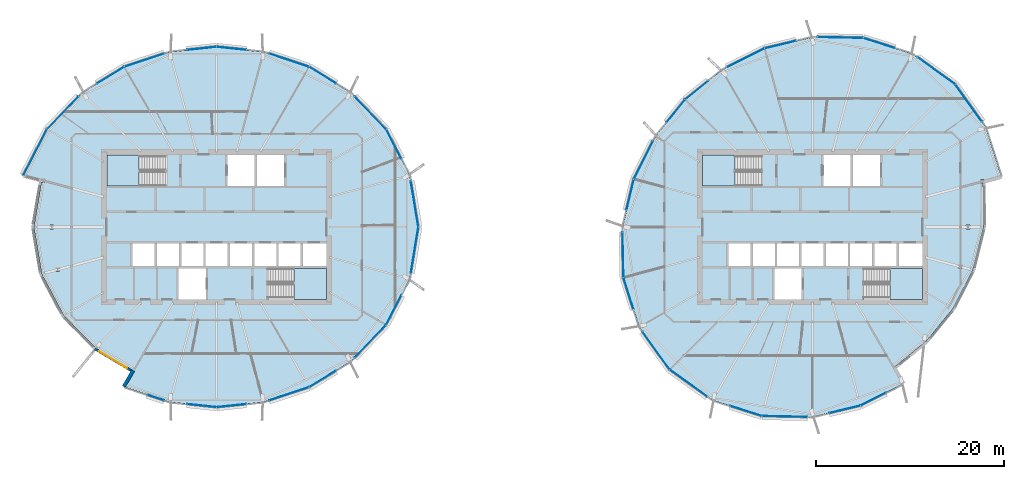
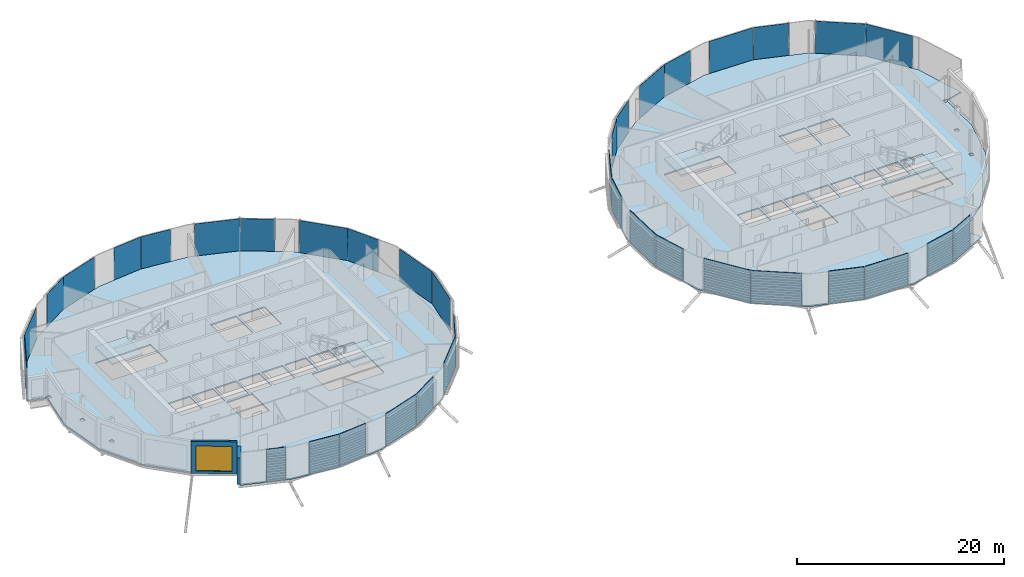
# One storey, part 17 of 35: 37 plates, 6 slabs, 2 walls, 1 window, 1 opening, 6 elements without a shape of their own.
"""IFC4 building model written with IfcOpenShell, lengths in metres."""

from ifc_helpers import new_model, si_unit, direction, frame, frame_2d, origin, origin_2d, place, context, subcontext, project, spatial, polyline, rectangle, outline, extrude, material, layer, layer_set, type_object, element, fill, aggregate, save


model = new_model("IFC4")

# Units and contexts
model_context = context("Model", 3, precision=1e-05, world=origin(), true_north=direction((0.0, 1.0)))
body_context = subcontext(model_context, "Body", "Model", "MODEL_VIEW")
ifc_project = project(units=[si_unit("LENGTHUNIT", "METRE"), si_unit("AREAUNIT", "SQUARE_METRE"), si_unit("VOLUMEUNIT", "CUBIC_METRE"), si_unit("PLANEANGLEUNIT", "RADIAN"), si_unit("MASSUNIT", "GRAM", prefix="KILO")], contexts=[model_context])

# Site, building, storey
site_placement = place(None, origin())
site = spatial("IfcSite", under=ifc_project, at=site_placement, CompositionType="ELEMENT")
building_placement = place(site_placement, origin())
building = spatial("IfcBuilding", under=site, at=building_placement, Name="Rimbun Link Towers", CompositionType="ELEMENT")
storey_placement = place(building_placement, frame((0.0, 0.0, 196.89990234375)))
storey = spatial("IfcBuildingStorey", under=building, at=storey_placement, Name="L48", CompositionType="ELEMENT", Elevation=196.89990234375)

# Slabs
ifc_material_1 = material(Name="Concrete C35/45", Category="concrete")
ifc_layer_1 = layer(ifc_material_1, 0.14990234375)
ifc_layer_set_1 = layer_set([ifc_layer_1], Name="COMPOSITE FLOOR 150")
slab_type_1 = type_object("IfcSlabType", Name="COMPOSITE FLOOR 150", PredefinedType="FLOOR", material=ifc_layer_set_1)
slab_1_placement = place(storey_placement, frame((0.0, 0.0, -0.14990234375)))
element("IfcSlab", 1, at=slab_1_placement, inside=storey, type_object=slab_type_1, Name="Floor slab T1 L48", PredefinedType="FLOOR", context=body_context, shape_type="SweptSolid", body=[
    extrude(outline(polyline([(-52.326904296875, 5.513671875), (-49.790283203125, 10.41552734375), (-46.058349609375, 14.308349609375), (-41.593505859375, 17.0498046875), (-36.748779296875, 18.6552734375), (-31.75, 19.181640625), (-26.751220703125, 18.6552734375), (-21.906494140625, 17.0498046875), (-17.441650390625, 14.308349609375), (-13.709716796875, 10.41552734375), (-11.173095703125, 5.513671875), (-10.2666015625, 0.0), (-11.173095703125, -5.513671875), (-13.709716796875, -10.41552734375), (-17.441650390625, -14.308349609375), (-21.906494140625, -17.0498046875), (-26.751220703125, -18.6552734375), (-31.75, -19.181640625), (-36.748779296875, -18.6552734375), (-41.593505859375, -17.0498046875), (-40.593505859375, -15.317626953125), (-44.64404296875, -12.89404296875), (-48.058349609375, -9.41552734375), (-50.39501953125, -4.995849609375), (-51.2333984375, 0.0), (-50.41455078125, 4.87890625), (-50.41455078125, 4.7509765625), (-50.015625, 4.7509765625), (-50.015625, 5.14453125), (-50.41455078125, 5.14453125), (-50.41455078125, 5.001220703125), (-52.326904296875, 5.513671875)]), holes=[polyline([(-32.89990234375, -7.699951171875), (-32.89990234375, -4.39990234375), (-35.800048828125, -4.39990234375), (-35.800048828125, -7.699951171875), (-32.89990234375, -7.699951171875)]), polyline([(-48.47119140625, -4.730712890625), (-48.47119140625, -4.337158203125), (-48.8701171875, -4.337158203125), (-48.8701171875, -4.730712890625), (-48.47119140625, -4.730712890625)]), polyline([(-38.361083984375, -4.14990234375), (-38.361083984375, -1.75), (-40.70556640625, -1.75), (-40.70556640625, -4.14990234375), (-38.361083984375, -4.14990234375)]), polyline([(-35.7666015625, -4.14990234375), (-35.7666015625, -1.75), (-38.111083984375, -1.75), (-38.111083984375, -4.14990234375), (-35.7666015625, -4.14990234375)]), polyline([(-33.172119140625, -4.14990234375), (-33.172119140625, -1.75), (-35.5166015625, -1.75), (-35.5166015625, -4.14990234375), (-33.172119140625, -4.14990234375)]), polyline([(-49.122802734375, -0.19677734375), (-49.122802734375, 0.19677734375), (-49.521728515625, 0.19677734375), (-49.521728515625, -0.19677734375), (-49.122802734375, -0.19677734375)]), polyline([(-37.260009765625, 4.39990234375), (-37.260009765625, 7.699951171875), (-43.449951171875, 7.699951171875), (-43.449951171875, 4.39990234375), (-37.260009765625, 4.39990234375)]), polyline([(-20.050048828125, -7.699951171875), (-20.050048828125, -4.39990234375), (-26.239990234375, -4.39990234375), (-26.239990234375, -7.699951171875), (-20.050048828125, -7.699951171875)]), polyline([(-30.577880859375, -4.14990234375), (-30.577880859375, -1.75), (-32.922119140625, -1.75), (-32.922119140625, -4.14990234375), (-30.577880859375, -4.14990234375)]), polyline([(-27.9833984375, -4.14990234375), (-27.9833984375, -1.75), (-30.327880859375, -1.75), (-30.327880859375, -4.14990234375), (-27.9833984375, -4.14990234375)]), polyline([(-25.388916015625, -4.14990234375), (-25.388916015625, -1.75), (-27.7333984375, -1.75), (-27.7333984375, -4.14990234375), (-25.388916015625, -4.14990234375)]), polyline([(-22.79443359375, -4.14990234375), (-22.79443359375, -1.75), (-25.138916015625, -1.75), (-25.138916015625, -4.14990234375), (-22.79443359375, -4.14990234375)]), polyline([(-20.050048828125, -4.14990234375), (-20.050048828125, -1.75), (-22.54443359375, -1.75), (-22.54443359375, -4.14990234375), (-20.050048828125, -4.14990234375)]), polyline([(-27.699951171875, 4.39990234375), (-27.699951171875, 7.699951171875), (-30.60009765625, 7.699951171875), (-30.60009765625, 4.39990234375), (-27.699951171875, 4.39990234375)]), polyline([(-24.550048828125, 4.39990234375), (-24.550048828125, 7.699951171875), (-27.449951171875, 7.699951171875), (-27.449951171875, 4.39990234375), (-24.550048828125, 4.39990234375)])]), origin(), (0.0, 0.0, 1.0), 0.14990234375),
])
slab_2_placement = place(storey_placement, frame((0.0, 0.0, -0.14990234375)))
element("IfcSlab", 2, at=slab_2_placement, inside=storey, type_object=slab_type_1, Name="Floor slab T2 L48", PredefinedType="FLOOR", context=body_context, shape_type="SweptSolid", body=[
    extrude(outline(polyline([(49.985107421875, 0.0), (48.834716796875, -4.577880859375), (46.743896484375, -8.65673828125), (43.8994140625, -12.1494140625), (40.40673828125, -14.993896484375), (41.40673828125, -16.725830078125), (36.845458984375, -19.016357421875), (31.75, -20.235107421875), (26.3583984375, -20.12158203125), (21.0986328125, -18.44873046875), (16.558837890625, -15.191162109375), (13.30126953125, -10.6513671875), (11.62841796875, -5.3916015625), (11.514892578125, 0.0), (12.733642578125, 5.095458984375), (15.024169921875, 9.65673828125), (18.1865234375, 13.5634765625), (22.09326171875, 16.725830078125), (26.654541015625, 19.016357421875), (31.75, 20.235107421875), (37.1416015625, 20.12158203125), (42.4013671875, 18.44873046875), (46.941162109375, 15.191162109375), (50.19873046875, 10.6513671875), (51.87158203125, 5.3916015625), (50.05078125, 4.90380859375), (50.05078125, 5.047119140625), (49.651611328125, 5.047119140625), (49.651611328125, 4.6533203125), (49.941650390625, 4.6533203125), (49.985107421875, 0.0)]), holes=[polyline([(30.60009765625, -7.699951171875), (30.60009765625, -4.39990234375), (27.699951171875, -4.39990234375), (27.699951171875, -7.699951171875), (30.60009765625, -7.699951171875)]), polyline([(25.138916015625, -4.14990234375), (25.138916015625, -1.75), (22.79443359375, -1.75), (22.79443359375, -4.14990234375), (25.138916015625, -4.14990234375)]), polyline([(27.7333984375, -4.14990234375), (27.7333984375, -1.75), (25.388916015625, -1.75), (25.388916015625, -4.14990234375), (27.7333984375, -4.14990234375)]), polyline([(30.327880859375, -4.14990234375), (30.327880859375, -1.75), (27.9833984375, -1.75), (27.9833984375, -4.14990234375), (30.327880859375, -4.14990234375)]), polyline([(32.922119140625, -4.14990234375), (32.922119140625, -1.75), (30.577880859375, -1.75), (30.577880859375, -4.14990234375), (32.922119140625, -4.14990234375)]), polyline([(35.5166015625, -4.14990234375), (35.5166015625, -1.75), (33.172119140625, -1.75), (33.172119140625, -4.14990234375), (35.5166015625, -4.14990234375)]), polyline([(26.239990234375, 4.39990234375), (26.239990234375, 7.699951171875), (20.050048828125, 7.699951171875), (20.050048828125, 4.39990234375), (26.239990234375, 4.39990234375)]), polyline([(35.800048828125, 4.39990234375), (35.800048828125, 7.699951171875), (32.89990234375, 7.699951171875), (32.89990234375, 4.39990234375), (35.800048828125, 4.39990234375)]), polyline([(43.449951171875, -7.699951171875), (43.449951171875, -4.39990234375), (37.260009765625, -4.39990234375), (37.260009765625, -7.699951171875), (43.449951171875, -7.699951171875)]), polyline([(47.692138671875, -4.4150390625), (47.692138671875, -4.021484375), (47.293212890625, -4.021484375), (47.293212890625, -4.4150390625), (47.692138671875, -4.4150390625)]), polyline([(38.111083984375, -4.14990234375), (38.111083984375, -1.75), (35.7666015625, -1.75), (35.7666015625, -4.14990234375), (38.111083984375, -4.14990234375)]), polyline([(40.70556640625, -4.14990234375), (40.70556640625, -1.75), (38.361083984375, -1.75), (38.361083984375, -4.14990234375), (40.70556640625, -4.14990234375)]), polyline([(43.449951171875, -4.14990234375), (43.449951171875, -1.75), (40.95556640625, -1.75), (40.95556640625, -4.14990234375), (43.449951171875, -4.14990234375)]), polyline([(48.51904296875, -0.19677734375), (48.51904296875, 0.19677734375), (48.1201171875, 0.19677734375), (48.1201171875, -0.19677734375), (48.51904296875, -0.19677734375)]), polyline([(38.949951171875, 4.39990234375), (38.949951171875, 7.699951171875), (36.050048828125, 7.699951171875), (36.050048828125, 4.39990234375), (38.949951171875, 4.39990234375)])]), origin(), (0.0, 0.0, 1.0), 0.14990234375),
])

# Curtain wall, plates
ifc_material_2 = material(Name="Aluminium 6063-T6 and low-iron glass", Category="aluminium")
curtain_wall_type = type_object("IfcCurtainWallType", Name="CW1-Z3 unitised vision wall (zone 3)", PredefinedType="NOTDEFINED", material=ifc_material_2)
curtain_wall_1_placement = place(storey_placement, origin())
curtain_wall_1 = element("IfcCurtainWall", 3, at=curtain_wall_1_placement, inside=storey, type_object=curtain_wall_type, Name="CW1 L48 T1", PredefinedType="NOTDEFINED")
ifc_material_3 = material(Name="Low-iron glass, laminated low-e unit", Category="glass")
ifc_layer_2 = layer(ifc_material_3, 0.028076171875)
ifc_layer_set_2 = layer_set([ifc_layer_2], Name="CW1 panel Low-iron glass 28")
plate_type = type_object("IfcPlateType", Name="CW1 panel Low-iron glass 28", PredefinedType="CURTAIN_PANEL", material=ifc_layer_set_2)
plate_1_placement = place(storey_placement, frame((-10.6572265625, 2.463134765625, 0.0), z_axis=(0.0, 0.0, 1.0), x_axis=(0.162251000037, -0.986749518868, 0.0)))
plate_1 = element("IfcPlate", 4, at=plate_1_placement, type_object=plate_type, Name="CW1 panel", PredefinedType="CURTAIN_PANEL", context=body_context, shape_type="SweptSolid", body=[
    extrude(rectangle(XDim=4.94775390625, YDim=0.028076171875, at=origin_2d()), origin(), (0.0, 0.0, 1.0), 3.800048828125),
])
plate_2_placement = place(storey_placement, frame((-12.876953125, 8.8369140625, 0.0), z_axis=(0.0, 0.0, 1.0), x_axis=(0.459563387219, -0.888144973035, 0.0)))
plate_2 = element("IfcPlate", 5, at=plate_2_placement, type_object=plate_type, Name="CW1 panel", PredefinedType="CURTAIN_PANEL", context=body_context, shape_type="SweptSolid", body=[
    extrude(rectangle(XDim=3.529296875, YDim=0.028076171875, at=origin_2d()), origin(), (0.0, 0.0, 1.0), 3.800048828125),
])
plate_3_placement = place(storey_placement, frame((-15.375244140625, 12.173095703125, 0.0), z_axis=(0.0, 0.0, 1.0), x_axis=(0.692040676143, -0.721858505917, 0.0)))
plate_3 = element("IfcPlate", 6, at=plate_3_placement, type_object=plate_type, Name="CW1 panel", PredefinedType="CURTAIN_PANEL", context=body_context, shape_type="SweptSolid", body=[
    extrude(rectangle(XDim=4.802734375, YDim=0.028076171875, at=origin_2d()), origin(), (0.0, 0.0, 1.0), 3.800048828125),
])
plate_4_placement = place(storey_placement, frame((-20.454833984375, 16.175048828125, 0.0), z_axis=(0.0, 0.0, 1.0), x_axis=(0.852191980023, -0.523229231966, 0.0)))
plate_4 = element("IfcPlate", 7, at=plate_4_placement, type_object=plate_type, Name="CW1 panel", PredefinedType="CURTAIN_PANEL", context=body_context, shape_type="SweptSolid", body=[
    extrude(rectangle(XDim=3.34912109375, YDim=0.028076171875, at=origin_2d()), origin(), (0.0, 0.0, 1.0), 3.800048828125),
])
plate_5_placement = place(storey_placement, frame((-24.039794921875, 17.771484375, 0.0), z_axis=(0.0, 0.0, 1.0), x_axis=(0.949238257149, -0.314557993327, 0.0)))
plate_5 = element("IfcPlate", 8, at=plate_5_placement, type_object=plate_type, Name="CW1 panel", PredefinedType="CURTAIN_PANEL", context=body_context, shape_type="SweptSolid", body=[
    extrude(rectangle(XDim=4.4638671875, YDim=0.028076171875, at=origin_2d()), origin(), (0.0, 0.0, 1.0), 3.800048828125),
])
plate_6_placement = place(storey_placement, frame((-30.169189453125, 19.029296875, 0.0), z_axis=(0.0, 0.0, 1.0), x_axis=(0.994498801029, -0.104747958219, 0.0)))
plate_6 = element("IfcPlate", 9, at=plate_6_placement, type_object=plate_type, Name="CW1 panel", PredefinedType="CURTAIN_PANEL", context=body_context, shape_type="SweptSolid", body=[
    extrude(rectangle(XDim=3.13623046875, YDim=0.028076171875, at=origin_2d()), origin(), (0.0, 0.0, 1.0), 3.800048828125),
])
plate_7_placement = place(storey_placement, frame((-33.330810546875, 19.029296875, 0.0), z_axis=(0.0, 0.0, 1.0), x_axis=(0.994498801029, 0.104747958219, 0.0)))
plate_7 = element("IfcPlate", 10, at=plate_7_placement, type_object=plate_type, Name="CW1 panel", PredefinedType="CURTAIN_PANEL", context=body_context, shape_type="SweptSolid", body=[
    extrude(rectangle(XDim=3.13623046875, YDim=0.028076171875, at=origin_2d()), origin(), (0.0, 0.0, 1.0), 3.800048828125),
])
plate_8_placement = place(storey_placement, frame((-39.460205078125, 17.771484375, 0.0), z_axis=(0.0, 0.0, 1.0), x_axis=(0.949238257149, 0.314557993327, 0.0)))
plate_8 = element("IfcPlate", 11, at=plate_8_placement, type_object=plate_type, Name="CW1 panel", PredefinedType="CURTAIN_PANEL", context=body_context, shape_type="SweptSolid", body=[
    extrude(rectangle(XDim=4.4638671875, YDim=0.028076171875, at=origin_2d()), origin(), (0.0, 0.0, 1.0), 3.800048828125),
])
plate_9_placement = place(storey_placement, frame((-43.045166015625, 16.175048828125, 0.0), z_axis=(0.0, 0.0, 1.0), x_axis=(0.852191980023, 0.523229231966, 0.0)))
plate_9 = element("IfcPlate", 12, at=plate_9_placement, type_object=plate_type, Name="CW1 panel", PredefinedType="CURTAIN_PANEL", context=body_context, shape_type="SweptSolid", body=[
    extrude(rectangle(XDim=3.34912109375, YDim=0.028076171875, at=origin_2d()), origin(), (0.0, 0.0, 1.0), 3.800048828125),
])
plate_10_placement = place(storey_placement, frame((-48.124755859375, 12.173095703125, 0.0), z_axis=(0.0, 0.0, 1.0), x_axis=(0.692040676143, 0.721858505917, 0.0)))
plate_10 = element("IfcPlate", 13, at=plate_10_placement, type_object=plate_type, Name="CW1 panel", PredefinedType="CURTAIN_PANEL", context=body_context, shape_type="SweptSolid", body=[
    extrude(rectangle(XDim=4.802734375, YDim=0.028076171875, at=origin_2d()), origin(), (0.0, 0.0, 1.0), 3.800048828125),
])
plate_11_placement = place(storey_placement, frame((-51.071044921875, 7.970947265625, 0.0), z_axis=(0.0, 0.0, 1.0), x_axis=(0.459563387219, 0.888144973035, 0.0)))
plate_11 = element("IfcPlate", 14, at=plate_11_placement, type_object=plate_type, Name="CW1 panel", PredefinedType="CURTAIN_PANEL", context=body_context, shape_type="SweptSolid", body=[
    extrude(rectangle(XDim=5.479248046875, YDim=0.028076171875, at=origin_2d()), origin(), (0.0, 0.0, 1.0), 3.800048828125),
])
plate_12_placement = place(storey_placement, frame((-38.226318359375, -18.18017578125, 0.0), z_axis=(0.0, 0.0, 1.0), x_axis=(-0.949238257149, 0.314557993327, 0.0)))
plate_12 = element("IfcPlate", 15, at=plate_12_placement, type_object=plate_type, Name="CW1 panel", PredefinedType="CURTAIN_PANEL", context=body_context, shape_type="SweptSolid", body=[
    extrude(rectangle(XDim=1.864013671875, YDim=0.028076171875, at=origin_2d()), origin(), (0.0, 0.0, 1.0), 3.800048828125),
])
plate_13_placement = place(storey_placement, frame((-33.330810546875, -19.029296875, 0.0), z_axis=(0.0, 0.0, 1.0), x_axis=(-0.994498801029, 0.104747958219, 0.0)))
plate_13 = element("IfcPlate", 16, at=plate_13_placement, type_object=plate_type, Name="CW1 panel", PredefinedType="CURTAIN_PANEL", context=body_context, shape_type="SweptSolid", body=[
    extrude(rectangle(XDim=3.13623046875, YDim=0.028076171875, at=origin_2d()), origin(), (0.0, 0.0, 1.0), 3.800048828125),
])
plate_14_placement = place(storey_placement, frame((-30.169189453125, -19.029296875, 0.0), z_axis=(0.0, 0.0, 1.0), x_axis=(-0.994498801029, -0.104747958219, 0.0)))
plate_14 = element("IfcPlate", 17, at=plate_14_placement, type_object=plate_type, Name="CW1 panel", PredefinedType="CURTAIN_PANEL", context=body_context, shape_type="SweptSolid", body=[
    extrude(rectangle(XDim=3.13623046875, YDim=0.028076171875, at=origin_2d()), origin(), (0.0, 0.0, 1.0), 3.800048828125),
])
plate_15_placement = place(storey_placement, frame((-24.039794921875, -17.771484375, 0.0), z_axis=(0.0, 0.0, 1.0), x_axis=(-0.949238257149, -0.314557993327, 0.0)))
plate_15 = element("IfcPlate", 18, at=plate_15_placement, type_object=plate_type, Name="CW1 panel", PredefinedType="CURTAIN_PANEL", context=body_context, shape_type="SweptSolid", body=[
    extrude(rectangle(XDim=4.4638671875, YDim=0.028076171875, at=origin_2d()), origin(), (0.0, 0.0, 1.0), 3.800048828125),
])
plate_16_placement = place(storey_placement, frame((-20.454833984375, -16.175048828125, 0.0), z_axis=(0.0, 0.0, 1.0), x_axis=(-0.852191980023, -0.523229231966, 0.0)))
plate_16 = element("IfcPlate", 19, at=plate_16_placement, type_object=plate_type, Name="CW1 panel", PredefinedType="CURTAIN_PANEL", context=body_context, shape_type="SweptSolid", body=[
    extrude(rectangle(XDim=3.34912109375, YDim=0.028076171875, at=origin_2d()), origin(), (0.0, 0.0, 1.0), 3.800048828125),
])
plate_17_placement = place(storey_placement, frame((-15.375244140625, -12.173095703125, 0.0), z_axis=(0.0, 0.0, 1.0), x_axis=(-0.692040676143, -0.721858505917, 0.0)))
plate_17 = element("IfcPlate", 20, at=plate_17_placement, type_object=plate_type, Name="CW1 panel", PredefinedType="CURTAIN_PANEL", context=body_context, shape_type="SweptSolid", body=[
    extrude(rectangle(XDim=4.802734375, YDim=0.028076171875, at=origin_2d()), origin(), (0.0, 0.0, 1.0), 3.800048828125),
])
plate_18_placement = place(storey_placement, frame((-12.876953125, -8.8369140625, 0.0), z_axis=(0.0, 0.0, 1.0), x_axis=(-0.459563387219, -0.888144973035, 0.0)))
plate_18 = element("IfcPlate", 21, at=plate_18_placement, type_object=plate_type, Name="CW1 panel", PredefinedType="CURTAIN_PANEL", context=body_context, shape_type="SweptSolid", body=[
    extrude(rectangle(XDim=3.529296875, YDim=0.028076171875, at=origin_2d()), origin(), (0.0, 0.0, 1.0), 3.800048828125),
])
plate_19_placement = place(storey_placement, frame((-10.6572265625, -2.463134765625, 0.0), z_axis=(0.0, 0.0, 1.0), x_axis=(-0.162251000037, -0.986749518868, 0.0)))
plate_19 = element("IfcPlate", 22, at=plate_19_placement, type_object=plate_type, Name="CW1 panel", PredefinedType="CURTAIN_PANEL", context=body_context, shape_type="SweptSolid", body=[
    extrude(rectangle(XDim=4.94775390625, YDim=0.028076171875, at=origin_2d()), origin(), (0.0, 0.0, 1.0), 3.800048828125),
])
aggregate(curtain_wall_1, [plate_1, plate_2, plate_3, plate_4, plate_5, plate_6, plate_7, plate_8, plate_9, plate_10, plate_11, plate_12, plate_13, plate_14, plate_15, plate_16, plate_17, plate_18, plate_19])

curtain_wall_2_placement = place(storey_placement, origin())
curtain_wall_2 = element("IfcCurtainWall", 23, at=curtain_wall_2_placement, inside=storey, type_object=curtain_wall_type, Name="CW1 L48 T2", PredefinedType="NOTDEFINED")
plate_20_placement = place(storey_placement, frame((44.943359375, 16.641845703125, 0.0), z_axis=(0.0, 0.0, 1.0), x_axis=(0.81246545613, -0.583009333198, 0.0)))
plate_20 = element("IfcPlate", 24, at=plate_20_placement, type_object=plate_type, Name="CW1 panel", PredefinedType="CURTAIN_PANEL", context=body_context, shape_type="SweptSolid", body=[
    extrude(rectangle(XDim=4.8974609375, YDim=0.028076171875, at=origin_2d()), origin(), (0.0, 0.0, 1.0), 3.800048828125),
])
plate_21_placement = place(storey_placement, frame((38.846435546875, 19.593994140625, 0.0), z_axis=(0.0, 0.0, 1.0), x_axis=(0.952967886603, -0.303071290464, 0.0)))
plate_21 = element("IfcPlate", 25, at=plate_21_placement, type_object=plate_type, Name="CW1 panel", PredefinedType="CURTAIN_PANEL", context=body_context, shape_type="SweptSolid", body=[
    extrude(rectangle(XDim=3.529541015625, YDim=0.028076171875, at=origin_2d()), origin(), (0.0, 0.0, 1.0), 3.800048828125),
])
plate_22_placement = place(storey_placement, frame((34.720947265625, 20.1865234375, 0.0), z_axis=(0.0, 0.0, 1.0), x_axis=(0.999778097154, -0.021065527565, 0.0)))
plate_22 = element("IfcPlate", 26, at=plate_22_placement, type_object=plate_type, Name="CW1 panel", PredefinedType="CURTAIN_PANEL", context=body_context, shape_type="SweptSolid", body=[
    extrude(rectangle(XDim=4.802734375, YDim=0.028076171875, at=origin_2d()), origin(), (0.0, 0.0, 1.0), 3.800048828125),
])
plate_23_placement = place(storey_placement, frame((28.32373046875, 19.429931640625, 0.0), z_axis=(0.0, 0.0, 1.0), x_axis=(0.972568754126, 0.23261560244, 0.0)))
plate_23 = element("IfcPlate", 27, at=plate_23_placement, type_object=plate_type, Name="CW1 panel", PredefinedType="CURTAIN_PANEL", context=body_context, shape_type="SweptSolid", body=[
    extrude(rectangle(XDim=3.399169921875, YDim=0.028076171875, at=origin_2d()), origin(), (0.0, 0.0, 1.0), 3.800048828125),
])
plate_24_placement = place(storey_placement, frame((24.6357421875, 18.018310546875, 0.0), z_axis=(0.0, 0.0, 1.0), x_axis=(0.893646073156, 0.448772432233, 0.0)))
plate_24 = element("IfcPlate", 28, at=plate_24_placement, type_object=plate_type, Name="CW1 panel", PredefinedType="CURTAIN_PANEL", context=body_context, shape_type="SweptSolid", body=[
    extrude(rectangle(XDim=4.464111328125, YDim=0.028076171875, at=origin_2d()), origin(), (0.0, 0.0, 1.0), 3.800048828125),
])
plate_25_placement = place(storey_placement, frame((19.412109375, 14.573486328125, 0.0), z_axis=(0.0, 0.0, 1.0), x_axis=(0.777278691991, 0.629156447139, 0.0)))
plate_25 = element("IfcPlate", 29, at=plate_25_placement, type_object=plate_type, Name="CW1 panel", PredefinedType="CURTAIN_PANEL", context=body_context, shape_type="SweptSolid", body=[
    extrude(rectangle(XDim=3.13623046875, YDim=0.028076171875, at=origin_2d()), origin(), (0.0, 0.0, 1.0), 3.800048828125),
])
plate_26_placement = place(storey_placement, frame((17.192138671875, 12.357421875, 0.0), z_axis=(0.0, 0.0, 1.0), x_axis=(0.629156447139, 0.777278691991, 0.0)))
plate_26 = element("IfcPlate", 30, at=plate_26_placement, type_object=plate_type, Name="CW1 panel", PredefinedType="CURTAIN_PANEL", context=body_context, shape_type="SweptSolid", body=[
    extrude(rectangle(XDim=3.086181640625, YDim=0.028076171875, at=origin_2d()), origin(), (0.0, 0.0, 1.0), 3.800048828125),
])
plate_27_placement = place(storey_placement, frame((13.742919921875, 7.136474609375, 0.0), z_axis=(0.0, 0.0, 1.0), x_axis=(0.448772432233, 0.893646073156, 0.0)))
plate_27 = element("IfcPlate", 31, at=plate_27_placement, type_object=plate_type, Name="CW1 panel", PredefinedType="CURTAIN_PANEL", context=body_context, shape_type="SweptSolid", body=[
    extrude(rectangle(XDim=4.51416015625, YDim=0.028076171875, at=origin_2d()), origin(), (0.0, 0.0, 1.0), 3.800048828125),
])
plate_28_placement = place(storey_placement, frame((12.32568359375, 3.45068359375, 0.0), z_axis=(0.0, 0.0, 1.0), x_axis=(0.23261560244, 0.972568754126, 0.0)))
plate_28 = element("IfcPlate", 32, at=plate_28_placement, type_object=plate_type, Name="CW1 panel", PredefinedType="CURTAIN_PANEL", context=body_context, shape_type="SweptSolid", body=[
    extrude(rectangle(XDim=3.34912109375, YDim=0.028076171875, at=origin_2d()), origin(), (0.0, 0.0, 1.0), 3.800048828125),
])
plate_29_placement = place(storey_placement, frame((11.5634765625, -2.970947265625, 0.0), z_axis=(0.0, 0.0, 1.0), x_axis=(-0.021065527565, 0.999778097154, 0.0)))
plate_29 = element("IfcPlate", 33, at=plate_29_placement, type_object=plate_type, Name="CW1 panel", PredefinedType="CURTAIN_PANEL", context=body_context, shape_type="SweptSolid", body=[
    extrude(rectangle(XDim=4.802734375, YDim=0.028076171875, at=origin_2d()), origin(), (0.0, 0.0, 1.0), 3.800048828125),
])
plate_30_placement = place(storey_placement, frame((12.156005859375, -7.096435546875, 0.0), z_axis=(0.0, 0.0, 1.0), x_axis=(-0.303071290464, 0.952967886603, 0.0)))
plate_30 = element("IfcPlate", 34, at=plate_30_placement, type_object=plate_type, Name="CW1 panel", PredefinedType="CURTAIN_PANEL", context=body_context, shape_type="SweptSolid", body=[
    extrude(rectangle(XDim=3.529541015625, YDim=0.028076171875, at=origin_2d()), origin(), (0.0, 0.0, 1.0), 3.800048828125),
])
plate_31_placement = place(storey_placement, frame((15.09375, -13.173095703125, 0.0), z_axis=(0.0, 0.0, 1.0), x_axis=(-0.583009333198, 0.81246545613, 0.0)))
plate_31 = element("IfcPlate", 35, at=plate_31_placement, type_object=plate_type, Name="CW1 panel", PredefinedType="CURTAIN_PANEL", context=body_context, shape_type="SweptSolid", body=[
    extrude(rectangle(XDim=4.947509765625, YDim=0.028076171875, at=origin_2d()), origin(), (0.0, 0.0, 1.0), 3.800048828125),
])
plate_32_placement = place(storey_placement, frame((18.556640625, -16.641845703125, 0.0), z_axis=(0.0, 0.0, 1.0), x_axis=(-0.81246545613, 0.583009333198, 0.0)))
plate_32 = element("IfcPlate", 36, at=plate_32_placement, type_object=plate_type, Name="CW1 panel", PredefinedType="CURTAIN_PANEL", context=body_context, shape_type="SweptSolid", body=[
    extrude(rectangle(XDim=4.8974609375, YDim=0.028076171875, at=origin_2d()), origin(), (0.0, 0.0, 1.0), 3.800048828125),
])
plate_33_placement = place(storey_placement, frame((24.653564453125, -19.593994140625, 0.0), z_axis=(0.0, 0.0, 1.0), x_axis=(-0.952967886603, 0.303071290464, 0.0)))
plate_33 = element("IfcPlate", 37, at=plate_33_placement, type_object=plate_type, Name="CW1 panel", PredefinedType="CURTAIN_PANEL", context=body_context, shape_type="SweptSolid", body=[
    extrude(rectangle(XDim=3.529541015625, YDim=0.028076171875, at=origin_2d()), origin(), (0.0, 0.0, 1.0), 3.800048828125),
])
plate_34_placement = place(storey_placement, frame((28.779052734375, -20.1865234375, 0.0), z_axis=(0.0, 0.0, 1.0), x_axis=(-0.999778097154, 0.021065527565, 0.0)))
plate_34 = element("IfcPlate", 38, at=plate_34_placement, type_object=plate_type, Name="CW1 panel", PredefinedType="CURTAIN_PANEL", context=body_context, shape_type="SweptSolid", body=[
    extrude(rectangle(XDim=4.802734375, YDim=0.028076171875, at=origin_2d()), origin(), (0.0, 0.0, 1.0), 3.800048828125),
])
plate_35_placement = place(storey_placement, frame((35.17626953125, -19.429931640625, 0.0), z_axis=(0.0, 0.0, 1.0), x_axis=(-0.972568754126, -0.23261560244, 0.0)))
plate_35 = element("IfcPlate", 39, at=plate_35_placement, type_object=plate_type, Name="CW1 panel", PredefinedType="CURTAIN_PANEL", context=body_context, shape_type="SweptSolid", body=[
    extrude(rectangle(XDim=3.399169921875, YDim=0.028076171875, at=origin_2d()), origin(), (0.0, 0.0, 1.0), 3.800048828125),
])
plate_36_placement = place(storey_placement, frame((38.21630859375, -18.343505859375, 0.0), z_axis=(0.0, 0.0, 1.0), x_axis=(-0.893646073156, -0.448772432233, 0.0)))
plate_36 = element("IfcPlate", 40, at=plate_36_placement, type_object=plate_type, Name="CW1 panel", PredefinedType="CURTAIN_PANEL", context=body_context, shape_type="SweptSolid", body=[
    extrude(rectangle(XDim=3.01416015625, YDim=0.028076171875, at=origin_2d()), origin(), (0.0, 0.0, 1.0), 3.800048828125),
])
plate_37_placement = place(storey_placement, frame((48.391845703125, 13.193359375, 0.0), z_axis=(0.0, 0.0, 1.0), x_axis=(0.583009333198, -0.81246545613, 0.0)))
plate_37 = element("IfcPlate", 41, at=plate_37_placement, type_object=plate_type, Name="CW1 panel", PredefinedType="CURTAIN_PANEL", context=body_context, shape_type="SweptSolid", body=[
    extrude(rectangle(XDim=4.8974609375, YDim=0.028076171875, at=origin_2d()), origin(), (0.0, 0.0, 1.0), 3.800048828125),
])
aggregate(curtain_wall_2, [plate_20, plate_21, plate_22, plate_23, plate_24, plate_25, plate_26, plate_27, plate_28, plate_29, plate_30, plate_31, plate_32, plate_33, plate_34, plate_35, plate_36, plate_37])

# Stair, slab
ifc_material_4 = material(Name="Concrete C40/50", Category="concrete")
stair_type = type_object("IfcStairType", Name="Exit stair 3800 rise", PredefinedType="HALF_TURN_STAIR", material=ifc_material_4)
stair_1_placement = place(storey_placement, origin())
stair_1 = element("IfcStair", 42, at=stair_1_placement, inside=storey, type_object=stair_type, Name="L48 EXIT STAIR A", PredefinedType="HALF_TURN_STAIR")
ifc_material_5 = material(Name="Concrete C40/50", Category="concrete")
ifc_layer_3 = layer(ifc_material_5, 0.199951171875)
ifc_layer_set_3 = layer_set([ifc_layer_3], Name="Stair landing")
slab_type_2 = type_object("IfcSlabType", Name="Stair landing", PredefinedType="LANDING", material=ifc_layer_set_3)
slab_3_placement = place(storey_placement, frame((0.0, 0.0, 1.7001953125)))
slab_3 = element("IfcSlab", 43, at=slab_3_placement, type_object=slab_type_2, Name="ST1 landing 1", PredefinedType="LANDING", context=body_context, shape_type="SweptSolid", body=[
    extrude(outline(polyline([(-40.0, 7.699951171875), (-43.449951171875, 7.699951171875), (-43.449951171875, 4.39990234375), (-40.0, 4.39990234375), (-40.0, 7.699951171875)])), origin(), (0.0, 0.0, 1.0), 0.199951171875),
])
aggregate(stair_1, [slab_3])

stair_2_placement = place(storey_placement, origin())
stair_2 = element("IfcStair", 44, at=stair_2_placement, inside=storey, type_object=stair_type, Name="L48 EXIT STAIR B", PredefinedType="HALF_TURN_STAIR")
slab_4_placement = place(storey_placement, frame((0.0, 0.0, 1.7001953125)))
slab_4 = element("IfcSlab", 45, at=slab_4_placement, type_object=slab_type_2, Name="ST2 landing 1", PredefinedType="LANDING", context=body_context, shape_type="SweptSolid", body=[
    extrude(outline(polyline([(-23.5, -7.699951171875), (-20.050048828125, -7.699951171875), (-20.050048828125, -4.39990234375), (-23.5, -4.39990234375), (-23.5, -7.699951171875)])), origin(), (0.0, 0.0, 1.0), 0.199951171875),
])
aggregate(stair_2, [slab_4])

stair_3_placement = place(storey_placement, origin())
stair_3 = element("IfcStair", 46, at=stair_3_placement, inside=storey, type_object=stair_type, Name="L48 EXIT STAIR A", PredefinedType="HALF_TURN_STAIR")
slab_5_placement = place(storey_placement, frame((0.0, 0.0, 1.7001953125)))
slab_5 = element("IfcSlab", 47, at=slab_5_placement, type_object=slab_type_2, Name="ST3 landing 1", PredefinedType="LANDING", context=body_context, shape_type="SweptSolid", body=[
    extrude(outline(polyline([(23.5, 7.699951171875), (20.050048828125, 7.699951171875), (20.050048828125, 4.39990234375), (23.5, 4.39990234375), (23.5, 7.699951171875)])), origin(), (0.0, 0.0, 1.0), 0.199951171875),
])
aggregate(stair_3, [slab_5])

stair_4_placement = place(storey_placement, origin())
stair_4 = element("IfcStair", 48, at=stair_4_placement, inside=storey, type_object=stair_type, Name="L48 EXIT STAIR B", PredefinedType="HALF_TURN_STAIR")
slab_6_placement = place(storey_placement, frame((0.0, 0.0, 1.7001953125)))
slab_6 = element("IfcSlab", 49, at=slab_6_placement, type_object=slab_type_2, Name="ST4 landing 1", PredefinedType="LANDING", context=body_context, shape_type="SweptSolid", body=[
    extrude(outline(polyline([(40.0, -7.699951171875), (43.449951171875, -7.699951171875), (43.449951171875, -4.39990234375), (40.0, -4.39990234375), (40.0, -7.699951171875)])), origin(), (0.0, 0.0, 1.0), 0.199951171875),
])
aggregate(stair_4, [slab_6])

# Wall, opening, window
ifc_material_6 = material(Name="Dark enamelled glass spandrel on insulated aluminium backpan", Category="aluminium")
ifc_layer_4 = layer(ifc_material_6, 0.25)
ifc_layer_set_4 = layer_set([ifc_layer_4], Name="CS dark enamelled spandrel wall 250")
wall_type_1 = type_object("IfcWallType", Name="CS dark enamelled spandrel wall 250", PredefinedType="STANDARD", material=ifc_layer_set_4)
wall_1_placement = place(storey_placement, frame((-40.87060546875, -15.297607421875, 0.0), z_axis=(0.0, 0.0, 1.0), x_axis=(-0.858130603388, 0.513431463323, 0.0)))
wall_1 = element("IfcWall", 50, at=wall_1_placement, inside=storey, type_object=wall_type_1, Name="Crease spandrel wall", PredefinedType="STANDARD", context=body_context, shape_type="SweptSolid", body=[
    extrude(rectangle(XDim=4.48828125, YDim=0.25, at=frame_2d((2.244140625, 0.0))), origin(), (0.0, 0.0, 1.0), 3.800048828125),
])
opening_placement = place(wall_1_placement, frame((0.4931640625, 0.0, 0.300048828125)))
opening = element("IfcOpeningElement", 51, at=opening_placement, cuts=wall_1, Name="Opening WR35H295", PredefinedType="OPENING", context=body_context, shape_type="SweptSolid", body=[
    extrude(rectangle(XDim=3.5, YDim=2.949951171875, at=frame_2d((1.75, 1.47509765625))), frame((0.0, 0.135009765625, 0.0), z_axis=(0.0, -1.0, 0.0), x_axis=(1.0, 0.0, 0.0)), (0.0, 0.0, 1.0), 0.27001953125),
])
ifc_material_7 = material(Name="Aluminium framed fixed window, dark tinted low-e glass", Category="aluminium")
window_type = type_object("IfcWindowType", Name="WR ribbon window 3500X2950", PartitioningType="SINGLE_PANEL", PredefinedType="WINDOW", material=ifc_material_7)
window_placement = place(opening_placement, origin())
window = element("IfcWindow", 52, at=window_placement, inside=storey, type_object=window_type, Name="Crease ribbon window", OverallHeight=2.949951171875, OverallWidth=3.5, PartitioningType="SINGLE_PANEL", PredefinedType="WINDOW", context=body_context, shape_type="SweptSolid", body=[
    extrude(rectangle(XDim=3.5, YDim=2.949951171875, at=frame_2d((1.75, 1.47509765625))), frame((0.0, 0.030029296875, 0.0), z_axis=(0.0, -1.0, 0.0), x_axis=(1.0, 0.0, 0.0)), (0.0, 0.0, 1.0), 0.06005859375),
])
fill(opening, window)

# Wall
ifc_material_8 = material(Name="Dark enamelled glass spandrel on insulated aluminium backpan", Category="aluminium")
ifc_layer_5 = layer(ifc_material_8, 0.3701171875)
ifc_layer_set_5 = layer_set([ifc_layer_5], Name="CS dark enamelled spandrel wall 370")
wall_type_2 = type_object("IfcWallType", Name="CS dark enamelled spandrel wall 370", PredefinedType="STANDARD", material=ifc_layer_set_5)
wall_2_placement = place(storey_placement, frame((-41.639892578125, -17.0, 0.0), z_axis=(0.0, 0.0, 1.0), x_axis=(0.499971491109, 0.866041862775, 0.0)))
element("IfcWall", 53, at=wall_2_placement, inside=storey, type_object=wall_type_2, Name="Crease spandrel wall", PredefinedType="STANDARD", context=body_context, shape_type="SweptSolid", body=[
    extrude(rectangle(XDim=1.97998046875, YDim=0.3701171875, at=frame_2d((0.989990234375, 0.0))), origin(), (0.0, 0.0, 1.0), 3.10693359375),
])

save(model, "model.ifc")
